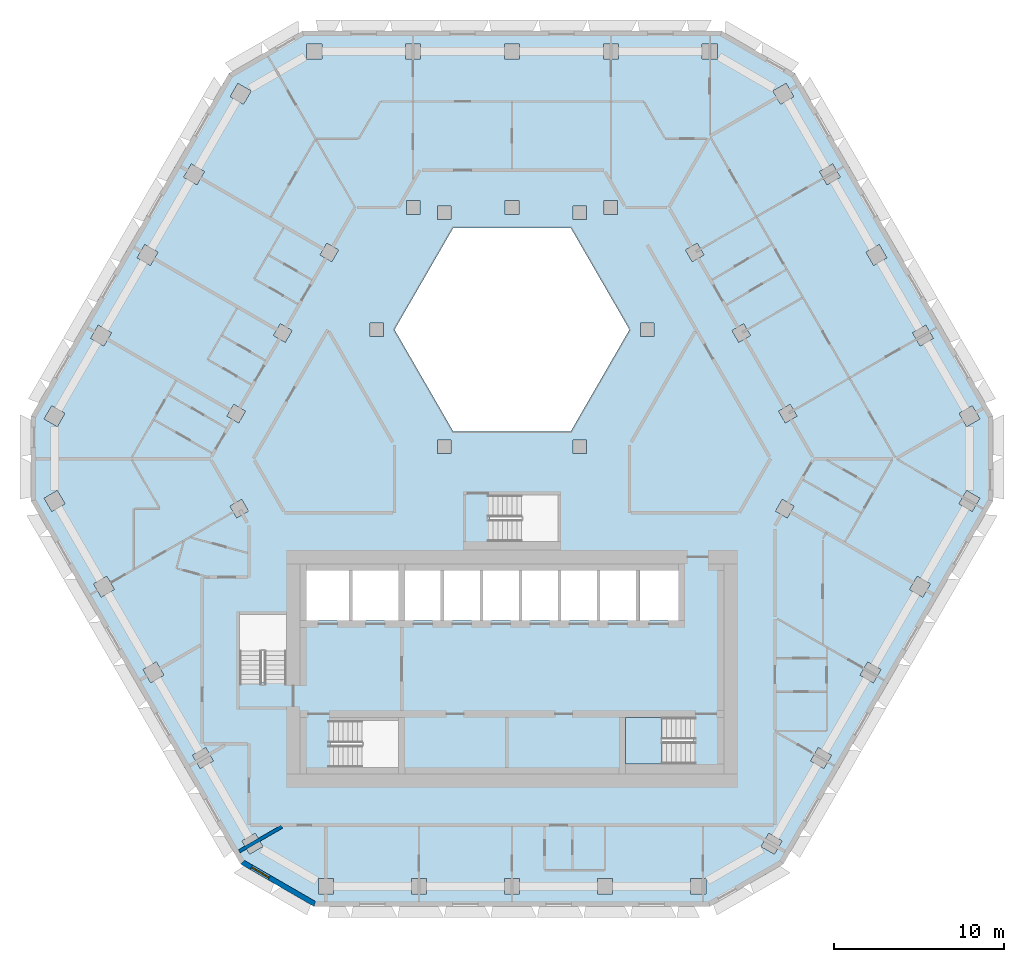
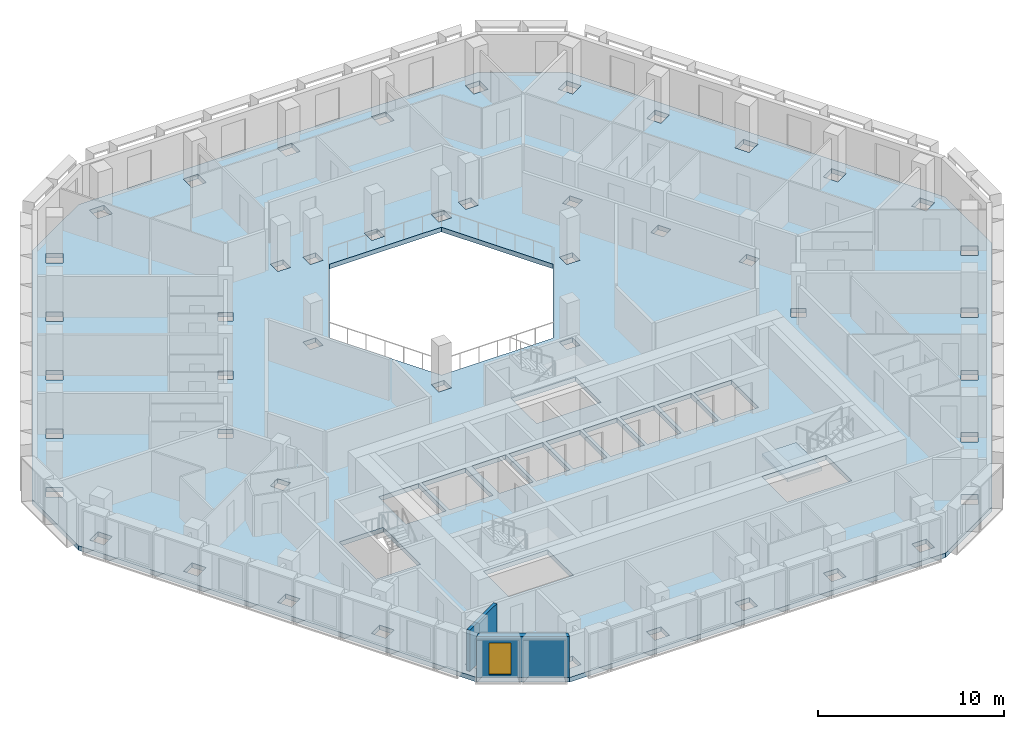
# One storey, part 2 of 15: 2 slabs, 2 walls, 1 window, 1 opening, 1 element without a shape of its own.
"""IFC4 building model written with IfcOpenShell, lengths in metres."""

import ifcopenshell
import ifcopenshell.guid

model = None  # the IFC model being written
_history = None  # IfcOwnerHistory: only IFC2X3 demands one
_inside = {}  # id of a spatial element -> (the spatial element, [elements in it])
_under = {}  # id of a project, library or spatial element -> (it, [spatial elements below it])
_declared = {}  # id of a project -> (the project, [libraries it declares])
_typed = {}  # id of a type object -> (the type object, [elements of that type])
_made_of = {}  # id of a material, layer set ... -> (it, [elements and type objects made of it])


def new_model(schema):
    """Start an empty IFC model of exactly this schema.

    Asked for "IFC4X3", IfcOpenShell would pick the latest addendum, in which some entities
    have other attributes; the version numbers below select the first issue.
    IFC2X3 requires an IfcOwnerHistory on every rooted entity: one is made here for all.
    """
    global model, _history
    if schema == "IFC4X3":
        model = ifcopenshell.file(schema_version=(4, 3, 0, 0))
    else:
        model = ifcopenshell.file(schema=schema)
    _inside.clear()
    _under.clear()
    _declared.clear()
    _typed.clear()
    _made_of.clear()
    _history = None
    if model.schema == "IFC2X3":
        org = make("IfcOrganization", Name="unknown")
        user = make(
            "IfcPersonAndOrganization",
            ThePerson=make("IfcPerson", FamilyName="unknown"),
            TheOrganization=org,
        )
        app = make(
            "IfcApplication",
            ApplicationDeveloper=org,
            Version="unknown",
            ApplicationFullName="unknown",
            ApplicationIdentifier="unknown",
        )
        _history = make(
            "IfcOwnerHistory",
            OwningUser=user,
            OwningApplication=app,
            ChangeAction="ADDED",
            CreationDate=0,
        )
    return model


def make(cls, **values):
    """One entity of the class cls with the attributes given. An attribute that is None is left unset."""
    return model.create_entity(
        cls, **{name: value for name, value in values.items() if value is not None}
    )


def rooted(cls, **values):
    """An entity with a GlobalId (a new one), such as an element, a storey or a relation."""
    return make(cls, GlobalId=ifcopenshell.guid.new(), OwnerHistory=_history, **values)


def si_unit(unit_type, name, prefix=None):
    """IfcSIUnit, for example si_unit("LENGTHUNIT", "METRE", prefix="MILLI")."""
    return make("IfcSIUnit", UnitType=unit_type, Prefix=prefix, Name=name)


def assignment(units):
    """IfcUnitAssignment: the units of a project."""
    return None if units is None else make("IfcUnitAssignment", Units=units)


def point(xyz):
    """IfcCartesianPoint."""
    return None if xyz is None else make("IfcCartesianPoint", Coordinates=xyz)


def direction(xyz):
    """IfcDirection."""
    return None if xyz is None else make("IfcDirection", DirectionRatios=xyz)


def frame(location, z_axis=None, x_axis=None):
    """IfcAxis2Placement3D, a coordinate frame: its origin and axes. An axis left out is left unset."""
    return make(
        "IfcAxis2Placement3D",
        Location=point(location),
        Axis=direction(z_axis),
        RefDirection=direction(x_axis),
    )


def frame_2d(location, x_axis=None):
    """IfcAxis2Placement2D, a coordinate frame in the plane: its origin and x axis."""
    return make(
        "IfcAxis2Placement2D", Location=point(location), RefDirection=direction(x_axis)
    )


def origin():
    """The frame at (0, 0, 0) with its axes left unset."""
    return frame((0.0, 0.0, 0.0))


def place(relative_to, where):
    """IfcLocalPlacement: puts the frame where relative to a parent placement (None: the world)."""
    return make(
        "IfcLocalPlacement", PlacementRelTo=relative_to, RelativePlacement=where
    )


def context(
    kind, dimensions, precision=None, world=None, true_north=None, identifier=None
):
    """IfcGeometricRepresentationContext, for example the 3D "Model" context."""
    return make(
        "IfcGeometricRepresentationContext",
        ContextIdentifier=identifier,
        ContextType=kind,
        CoordinateSpaceDimension=dimensions,
        Precision=precision,
        WorldCoordinateSystem=world,
        TrueNorth=true_north,
    )


def subcontext(parent, identifier, kind, view, scale=None):
    """IfcGeometricRepresentationSubContext, for example "Body" below "Model"."""
    return make(
        "IfcGeometricRepresentationSubContext",
        ContextIdentifier=identifier,
        ContextType=kind,
        ParentContext=parent,
        TargetScale=scale,
        TargetView=view,
    )


def project(units=None, contexts=None):
    """IfcProject with its units and contexts."""
    return rooted(
        "IfcProject",
        Name="project",
        RepresentationContexts=contexts,
        UnitsInContext=assignment(units),
    )


def spatial(cls, under=None, at=None, **own):
    """A site, building, storey or space (cls), placed at a placement, below another one or the project."""
    s = rooted(cls, ObjectPlacement=at, **own)
    if under is not None:
        _under.setdefault(under.id(), (under, []))[1].append(s)
    return s


def polyline(points):
    """IfcPolyline through the points."""
    return make("IfcPolyline", Points=[point(p) for p in points])


def profile(cls, at=None, kind="AREA", **sizes):
    """A parametric profile (cls). Its sizes go by their IFC names, for example OverallWidth=200.0."""
    return make(cls, ProfileType=kind, Position=at, **sizes)


def rectangle(**sizes):
    """IfcRectangleProfileDef."""
    return profile("IfcRectangleProfileDef", **sizes)


def outline(outer, holes=None, kind="AREA"):
    """IfcArbitraryClosedProfileDef: a profile drawn as a closed curve; with holes, ...WithVoids."""
    if holes is None:
        return make("IfcArbitraryClosedProfileDef", ProfileType=kind, OuterCurve=outer)
    return make(
        "IfcArbitraryProfileDefWithVoids",
        ProfileType=kind,
        OuterCurve=outer,
        InnerCurves=holes,
    )


def extrude(swept, where, along, depth):
    """IfcExtrudedAreaSolid: the profile swept, set in the frame where, extruded along a direction by depth."""
    return make(
        "IfcExtrudedAreaSolid",
        SweptArea=swept,
        Position=where,
        ExtrudedDirection=direction(along),
        Depth=depth,
    )


def shape(context_of_items, identifier, shape_type, items):
    """IfcShapeRepresentation: the items that make up one representation, for example the "Body"."""
    return make(
        "IfcShapeRepresentation",
        ContextOfItems=context_of_items,
        RepresentationIdentifier=identifier,
        RepresentationType=shape_type,
        Items=items,
    )


def material(Name=None, Category=None):
    """IfcMaterial."""
    return make("IfcMaterial", Name=Name, Category=Category)


def layer(
    of_material, thickness, ventilated=None, Name=None, Category=None, Priority=None
):
    """IfcMaterialLayer: one layer of a wall or slab, of a material (None: an air gap)."""
    return make(
        "IfcMaterialLayer",
        Material=of_material,
        LayerThickness=thickness,
        IsVentilated=ventilated,
        Name=Name,
        Category=Category,
        Priority=Priority,
    )


def layer_set(layers, Name=None):
    """IfcMaterialLayerSet."""
    return make("IfcMaterialLayerSet", MaterialLayers=layers, LayerSetName=Name)


def made_of(thing, what):
    """Note that an element or type object is made of a material, layer set ...; save() writes the relation."""
    if what is not None:
        _made_of.setdefault(what.id(), (what, []))[1].append(thing)
    return thing


def type_object(cls, material=None, **own):
    """A type object (cls), such as IfcWallType, which elements share."""
    return made_of(rooted(cls, **own), material)


def element(
    cls,
    number,
    at=None,
    inside=None,
    cuts=None,
    type_object=None,
    material=None,
    context=None,
    identifier="Body",
    shape_type=None,
    held_by="IfcProductDefinitionShape",
    body=None,
    shapes=None,
    **own,
):
    """One element of the class cls, such as IfcWall. Its Tag is "e" and its number.

    at: its placement. inside: the storey or other place that contains it. cuts: it is an
    opening in that element (IfcRelVoidsElement). A single representation is given by context,
    identifier, shape_type and body (its items); several are given by shapes. held_by: the class
    of the entity that holds the representations. save() writes the other relations.
    """
    e = rooted(cls, Tag="e%d" % number, ObjectPlacement=at, **own)
    if body is not None:
        shapes = [shape(context, identifier, shape_type, body)]
    if shapes is not None:
        e.Representation = make(held_by, Representations=shapes)
    if inside is not None:
        _inside.setdefault(inside.id(), (inside, []))[1].append(e)
    if cuts is not None:
        rooted(
            "IfcRelVoidsElement", RelatingBuildingElement=cuts, RelatedOpeningElement=e
        )
    if type_object is not None:
        _typed.setdefault(type_object.id(), (type_object, []))[1].append(e)
    return made_of(e, material)


def fill(opening, filler):
    """IfcRelFillsElement: the door or window that sits in an opening."""
    return rooted(
        "IfcRelFillsElement",
        RelatingOpeningElement=opening,
        RelatedBuildingElement=filler,
    )


def aggregate(whole, parts):
    """IfcRelAggregates: a whole, such as a stair, and the parts it consists of."""
    return rooted("IfcRelAggregates", RelatingObject=whole, RelatedObjects=parts)


def save(model, path):
    """Write the relations noted so far, then the file.

    IfcRelAggregates (storeys below a building ...), IfcRelContainedInSpatialStructure (elements
    in a storey), IfcRelDefinesByType, IfcRelAssociatesMaterial and IfcRelDeclares: one each for
    every whole, place, type object, material and project.
    """
    for whole, parts in _under.values():
        aggregate(whole, parts)
    for where, things in _inside.values():
        rooted(
            "IfcRelContainedInSpatialStructure",
            RelatedElements=things,
            RelatingStructure=where,
        )
    for kind, things in _typed.values():
        rooted("IfcRelDefinesByType", RelatedObjects=things, RelatingType=kind)
    for what, things in _made_of.values():
        rooted("IfcRelAssociatesMaterial", RelatedObjects=things, RelatingMaterial=what)
    for by, libraries in _declared.values():
        rooted("IfcRelDeclares", RelatingContext=by, RelatedDefinitions=libraries)
    model.write(path)


model = new_model("IFC4")

# Units and contexts
model_context = context("Model", 3, precision=1e-05, world=origin(), true_north=direction((0.0, 1.0)))
body_context = subcontext(model_context, "Body", "Model", "MODEL_VIEW")
ifc_project = project(units=[si_unit("LENGTHUNIT", "METRE"), si_unit("AREAUNIT", "SQUARE_METRE"), si_unit("VOLUMEUNIT", "CUBIC_METRE"), si_unit("PLANEANGLEUNIT", "RADIAN"), si_unit("MASSUNIT", "GRAM", prefix="KILO")], contexts=[model_context])

# Site, building, storey
site_placement = place(None, origin())
site = spatial("IfcSite", under=ifc_project, at=site_placement, CompositionType="ELEMENT")
building_placement = place(site_placement, origin())
building = spatial("IfcBuilding", under=site, at=building_placement, Name="Beryl Residences", CompositionType="ELEMENT")
storey_placement = place(building_placement, frame((0.0, 0.0, 147.60009765625)))
storey = spatial("IfcBuildingStorey", under=building, at=storey_placement, Name="L45", CompositionType="ELEMENT", Elevation=147.60009765625)

# Slab
ifc_material_1 = material(Name="Concrete C40/50", Category="concrete")
ifc_layer_1 = layer(ifc_material_1, 0.300048828125)
ifc_layer_set_1 = layer_set([ifc_layer_1], Name="SL7 PT floor slab 300 mm C40/50")
slab_type_1 = type_object("IfcSlabType", Name="SL7 PT floor slab 300 mm C40/50", PredefinedType="FLOOR", material=ifc_layer_set_1)
slab_1_placement = place(storey_placement, frame((0.0, 0.0, -0.300048828125)))
element("IfcSlab", 1, at=slab_1_placement, inside=storey, type_object=slab_type_1, Name="L45 slab 1", PredefinedType="FLOOR", context=body_context, shape_type="SweptSolid", body=[
    extrude(outline(polyline([(28.347900390625, -2.10009765625), (15.991943359375, -23.5), (11.662109375, -26.0), (-11.662109375, -26.0), (-15.991943359375, -23.5), (-28.347900390625, -2.10009765625), (-28.347900390625, 2.89990234375), (-16.68505859375, 23.10009765625), (-12.35498046875, 25.60009765625), (12.35498046875, 25.60009765625), (16.68505859375, 23.10009765625), (28.347900390625, 2.89990234375), (28.347900390625, -2.10009765625)]), holes=[polyline([(27.1279296875, 3.514892578125), (26.347900390625, 3.06494140625), (26.798095703125, 2.284912109375), (27.577880859375, 2.735107421875), (27.1279296875, 3.514892578125)]), polyline([(26.7958984375, -1.486083984375), (26.345947265625, -2.26611328125), (27.1259765625, -2.716064453125), (27.575927734375, -1.93603515625), (26.7958984375, -1.486083984375)]), polyline([(23.60498046875, 7.81494140625), (24.054931640625, 7.034912109375), (24.8349609375, 7.485107421875), (24.385009765625, 8.264892578125), (23.60498046875, 7.81494140625)]), polyline([(24.660888671875, -6.986083984375), (23.881103515625, -6.535888671875), (23.430908203125, -7.31591796875), (24.2109375, -7.76611328125), (24.660888671875, -6.986083984375)]), polyline([(21.64306640625, 13.014892578125), (20.863037109375, 12.56494140625), (21.31298828125, 11.784912109375), (22.093017578125, 12.235107421875), (21.64306640625, 13.014892578125)]), polyline([(20.965087890625, -11.5859375), (20.514892578125, -12.365966796875), (21.294921875, -12.81591796875), (21.7451171875, -12.035888671875), (20.965087890625, -11.5859375)]), polyline([(18.1201171875, 17.31494140625), (18.570068359375, 16.534912109375), (19.35009765625, 16.985107421875), (18.89990234375, 17.764892578125), (18.1201171875, 17.31494140625)]), polyline([(18.830078125, -17.0859375), (18.050048828125, -16.635986328125), (17.60009765625, -17.416015625), (18.3798828125, -17.865966796875), (18.830078125, -17.0859375)]), polyline([(16.39892578125, 3.595947265625), (15.70703125, 3.196044921875), (16.10693359375, 2.50390625), (16.799072265625, 2.904052734375), (16.39892578125, 3.595947265625)]), polyline([(16.6240234375, -2.405029296875), (15.931884765625, -2.0048828125), (15.531982421875, -2.697021484375), (16.22412109375, -3.096923828125), (16.6240234375, -2.405029296875)]), polyline([(16.157958984375, 22.514892578125), (15.3779296875, 22.06494140625), (15.827880859375, 21.284912109375), (16.60791015625, 21.735107421875), (16.157958984375, 22.514892578125)]), polyline([(15.9140625, -22.135009765625), (15.134033203125, -21.68505859375), (14.68408203125, -22.465087890625), (15.464111328125, -22.9150390625), (15.9140625, -22.135009765625)]), polyline([(13.656005859375, 8.345947265625), (12.964111328125, 7.946044921875), (13.364013671875, 7.25390625), (14.055908203125, 7.654052734375), (13.656005859375, 8.345947265625)]), polyline([(11.2119140625, 24.85009765625), (11.2119140625, 23.949951171875), (12.112060546875, 23.949951171875), (12.112060546875, 24.85009765625), (11.2119140625, 24.85009765625)]), polyline([(11.4208984375, -24.35009765625), (10.52099609375, -24.35009765625), (10.52099609375, -25.25), (11.4208984375, -25.25), (11.4208984375, -24.35009765625)]), polyline([(10.221923828125, 12.696044921875), (10.6220703125, 12.00390625), (11.31396484375, 12.404052734375), (10.9140625, 13.095947265625), (10.221923828125, 12.696044921875)]), polyline([(6.699951171875, -14.85009765625), (6.699951171875, -17.60009765625), (10.699951171875, -17.60009765625), (10.699951171875, -14.85009765625), (6.699951171875, -14.85009765625)]), polyline([(7.5, -9.14990234375), (9.800048828125, -9.14990234375), (9.800048828125, -6.199951171875), (7.5, -6.199951171875), (7.5, -9.14990234375)]), polyline([(8.366943359375, 7.60009765625), (8.366943359375, 8.39990234375), (7.56689453125, 8.39990234375), (7.56689453125, 7.60009765625), (8.366943359375, 7.60009765625)]), polyline([(7.300048828125, -9.14990234375), (7.300048828125, -6.199951171875), (5.199951171875, -6.199951171875), (5.199951171875, -9.14990234375), (7.300048828125, -9.14990234375)]), polyline([(3.464111328125, 14.0), (-3.464111328125, 14.0), (-6.92822265625, 8.0), (-3.464111328125, 2.0), (3.464111328125, 2.0), (6.92822265625, 8.0), (3.464111328125, 14.0)]), polyline([(5.381103515625, 24.85009765625), (5.381103515625, 23.949951171875), (6.281005859375, 23.949951171875), (6.281005859375, 24.85009765625), (5.381103515625, 24.85009765625)]), polyline([(5.430908203125, 15.60009765625), (5.430908203125, 14.800048828125), (6.23095703125, 14.800048828125), (6.23095703125, 15.60009765625), (5.430908203125, 15.60009765625)]), polyline([(5.93603515625, -25.25), (5.93603515625, -24.35009765625), (5.035888671875, -24.35009765625), (5.035888671875, -25.25), (5.93603515625, -25.25)]), polyline([(2.89990234375, -9.14990234375), (5.0, -9.14990234375), (5.0, -6.199951171875), (2.89990234375, -6.199951171875), (2.89990234375, -9.14990234375)]), polyline([(4.384033203125, 14.5), (4.384033203125, 15.300048828125), (3.583984375, 15.300048828125), (3.583984375, 14.5), (4.384033203125, 14.5)]), polyline([(3.583984375, 1.5), (3.583984375, 0.699951171875), (4.384033203125, 0.699951171875), (4.384033203125, 1.5), (3.583984375, 1.5)]), polyline([(2.699951171875, -4.5), (2.699951171875, -1.75), (-1.300048828125, -1.75), (-1.300048828125, -4.5), (2.699951171875, -4.5)]), polyline([(0.60009765625, -9.14990234375), (2.699951171875, -9.14990234375), (2.699951171875, -6.199951171875), (0.60009765625, -6.199951171875), (0.60009765625, -9.14990234375)]), polyline([(0.450927734375, -24.35009765625), (-0.448974609375, -24.35009765625), (-0.448974609375, -25.25), (0.450927734375, -25.25), (0.450927734375, -24.35009765625)]), polyline([(-0.449951171875, 24.85009765625), (-0.449951171875, 23.949951171875), (0.449951171875, 23.949951171875), (0.449951171875, 24.85009765625), (-0.449951171875, 24.85009765625)]), polyline([(0.39990234375, -6.199951171875), (-1.699951171875, -6.199951171875), (-1.699951171875, -9.14990234375), (0.39990234375, -9.14990234375), (0.39990234375, -6.199951171875)]), polyline([(-0.39990234375, 15.60009765625), (-0.39990234375, 14.800048828125), (0.39990234375, 14.800048828125), (0.39990234375, 15.60009765625), (-0.39990234375, 15.60009765625)]), polyline([(-4.0, -9.14990234375), (-1.89990234375, -9.14990234375), (-1.89990234375, -6.199951171875), (-4.0, -6.199951171875), (-4.0, -9.14990234375)]), polyline([(-3.583984375, 14.5), (-3.583984375, 15.300048828125), (-4.384033203125, 15.300048828125), (-4.384033203125, 14.5), (-3.583984375, 14.5)]), polyline([(-3.583984375, 0.699951171875), (-3.583984375, 1.5), (-4.384033203125, 1.5), (-4.384033203125, 0.699951171875), (-3.583984375, 0.699951171875)]), polyline([(-6.300048828125, -9.14990234375), (-4.199951171875, -9.14990234375), (-4.199951171875, -6.199951171875), (-6.300048828125, -6.199951171875), (-6.300048828125, -9.14990234375)]), polyline([(-5.033935546875, -25.25), (-5.033935546875, -24.35009765625), (-5.93408203125, -24.35009765625), (-5.93408203125, -25.25), (-5.033935546875, -25.25)]), polyline([(-6.281005859375, 23.949951171875), (-5.381103515625, 23.949951171875), (-5.381103515625, 24.85009765625), (-6.281005859375, 24.85009765625), (-6.281005859375, 23.949951171875)]), polyline([(-6.23095703125, 14.800048828125), (-5.430908203125, 14.800048828125), (-5.430908203125, 15.60009765625), (-6.23095703125, 15.60009765625), (-6.23095703125, 14.800048828125)]), polyline([(-6.699951171875, -6.199951171875), (-9.39990234375, -6.199951171875), (-9.39990234375, -9.14990234375), (-6.699951171875, -9.14990234375), (-6.699951171875, -6.199951171875)]), polyline([(-10.699951171875, -15.050048828125), (-10.699951171875, -17.800048828125), (-6.699951171875, -17.800048828125), (-6.699951171875, -15.050048828125), (-10.699951171875, -15.050048828125)]), polyline([(-7.56689453125, 7.60009765625), (-7.56689453125, 8.39990234375), (-8.366943359375, 8.39990234375), (-8.366943359375, 7.60009765625), (-7.56689453125, 7.60009765625)]), polyline([(-12.10009765625, -9.14990234375), (-9.60009765625, -9.14990234375), (-9.60009765625, -6.199951171875), (-12.10009765625, -6.199951171875), (-12.10009765625, -9.14990234375)]), polyline([(-11.31396484375, 12.404052734375), (-10.6220703125, 12.00390625), (-10.221923828125, 12.696044921875), (-10.9140625, 13.095947265625), (-11.31396484375, 12.404052734375)]), polyline([(-11.4189453125, -24.35009765625), (-11.4189453125, -25.25), (-10.51904296875, -25.25), (-10.51904296875, -24.35009765625), (-11.4189453125, -24.35009765625)]), polyline([(-12.112060546875, 24.85009765625), (-12.112060546875, 23.949951171875), (-11.2119140625, 23.949951171875), (-11.2119140625, 24.85009765625), (-12.112060546875, 24.85009765625)]), polyline([(-14.055908203125, 7.654052734375), (-13.364013671875, 7.25390625), (-12.964111328125, 7.946044921875), (-13.656005859375, 8.345947265625), (-14.055908203125, 7.654052734375)]), polyline([(-13.300048828125, -8.800048828125), (-16.050048828125, -8.800048828125), (-16.050048828125, -12.800048828125), (-13.300048828125, -12.800048828125), (-13.300048828125, -8.800048828125)]), polyline([(-14.68505859375, -22.464111328125), (-15.135009765625, -21.68408203125), (-15.9150390625, -22.134033203125), (-15.465087890625, -22.9140625), (-14.68505859375, -22.464111328125)]), polyline([(-15.827880859375, 21.284912109375), (-15.3779296875, 22.06494140625), (-16.157958984375, 22.514892578125), (-16.60791015625, 21.735107421875), (-15.827880859375, 21.284912109375)]), polyline([(-15.532958984375, -2.695068359375), (-15.93310546875, -2.0029296875), (-16.625, -2.403076171875), (-16.22509765625, -3.094970703125), (-15.532958984375, -2.695068359375)]), polyline([(-16.10693359375, 2.50390625), (-15.70703125, 3.196044921875), (-16.39892578125, 3.595947265625), (-16.799072265625, 2.904052734375), (-16.10693359375, 2.50390625)]), polyline([(-17.60107421875, -17.4140625), (-18.051025390625, -16.634033203125), (-18.8310546875, -17.083984375), (-18.381103515625, -17.864013671875), (-17.60107421875, -17.4140625)]), polyline([(-19.35009765625, 16.985107421875), (-18.570068359375, 16.534912109375), (-18.1201171875, 17.31494140625), (-18.89990234375, 17.764892578125), (-19.35009765625, 16.985107421875)]), polyline([(-21.2958984375, -12.81396484375), (-20.51611328125, -12.364013671875), (-20.966064453125, -11.583984375), (-21.74609375, -12.033935546875), (-21.2958984375, -12.81396484375)]), polyline([(-20.863037109375, 12.56494140625), (-21.64306640625, 13.014892578125), (-22.093017578125, 12.235107421875), (-21.31298828125, 11.784912109375), (-20.863037109375, 12.56494140625)]), polyline([(-24.2119140625, -7.763916015625), (-23.431884765625, -7.31396484375), (-23.882080078125, -6.533935546875), (-24.662109375, -6.98388671875), (-24.2119140625, -7.763916015625)]), polyline([(-24.8349609375, 7.485107421875), (-24.054931640625, 7.034912109375), (-23.60498046875, 7.81494140625), (-24.385009765625, 8.264892578125), (-24.8349609375, 7.485107421875)]), polyline([(-27.126953125, -2.715087890625), (-26.346923828125, -2.264892578125), (-26.797119140625, -1.485107421875), (-27.576904296875, -1.93505859375), (-27.126953125, -2.715087890625)]), polyline([(-27.577880859375, 2.735107421875), (-26.798095703125, 2.284912109375), (-26.347900390625, 3.06494140625), (-27.1279296875, 3.514892578125), (-27.577880859375, 2.735107421875)])]), origin(), (0.0, 0.0, 1.0), 0.300048828125),
])

# Stair, slab
ifc_material_2 = material(Name="Concrete C40/50", Category="concrete")
stair_type = type_object("IfcStairType", Name="ST1 protected exit stair, half-turn, 1300 mm flights", PredefinedType="HALF_TURN_STAIR", material=ifc_material_2)
stair_placement = place(storey_placement, origin())
stair = element("IfcStair", 2, at=stair_placement, inside=storey, type_object=stair_type, Name="L45 PROTECTED EXIT STAIR ST-3", PredefinedType="HALF_TURN_STAIR")
ifc_material_3 = material(Name="Concrete C40/50", Category="concrete")
ifc_layer_2 = layer(ifc_material_3, 0.199951171875)
ifc_layer_set_2 = layer_set([ifc_layer_2], Name="SLD1 stair landing 200 mm")
slab_type_2 = type_object("IfcSlabType", Name="SLD1 stair landing 200 mm", PredefinedType="LANDING", material=ifc_layer_set_2)
slab_2_placement = place(storey_placement, frame((0.0, 0.0, 1.2998046875)))
slab_2 = element("IfcSlab", 3, at=slab_2_placement, type_object=slab_type_2, Name="ST-3 landing 1", PredefinedType="LANDING", context=body_context, shape_type="SweptSolid", body=[
    extrude(outline(polyline([(8.840087890625, -14.85009765625), (6.699951171875, -14.85009765625), (6.699951171875, -17.60009765625), (8.840087890625, -17.60009765625), (8.840087890625, -14.85009765625)])), origin(), (0.0, 0.0, 1.0), 0.2001953125),
])
aggregate(stair, [slab_2])

# Wall, opening, window
ifc_material_4 = material(Name="Composite metal panel with mineral wool insulation")
ifc_layer_3 = layer(ifc_material_4, 0.300048828125)
ifc_layer_set_3 = layer_set([ifc_layer_3], Name="ES1 pale metal composite panel wall 300 mm")
wall_type_1 = type_object("IfcWallType", Name="ES1 pale metal composite panel wall 300 mm", PredefinedType="SOLIDWALL", material=ifc_layer_set_3)
wall_1_placement = place(storey_placement, frame((-15.9169921875, -23.3701171875, 0.0), z_axis=(0.0, 0.0, 1.0), x_axis=(0.866022959057, -0.500004234368, 0.0)))
wall_1 = element("IfcWall", 4, at=wall_1_placement, inside=storey, type_object=wall_type_1, Name="ES1 external wall L45 SW-S", PredefinedType="SOLIDWALL", context=body_context, shape_type="SweptSolid", body=[
    extrude(outline(polyline([(0.0, -0.14990234375), (5.0, -0.14990234375), (4.919677734375, 0.14990234375), (0.080322265625, 0.14990234375), (0.0, -0.14990234375)])), origin(), (0.0, 0.0, 1.0), 2.699951171875),
])
opening_placement = place(wall_1_placement, frame((0.64990234375, 0.0, 0.14990234375)))
opening = element("IfcOpeningElement", 5, at=opening_placement, cuts=wall_1, Name="Opening W2", PredefinedType="OPENING", context=body_context, shape_type="SweptSolid", body=[
    extrude(rectangle(XDim=1.199951171875, YDim=2.10009765625, at=frame_2d((0.60009765625, 1.050048828125))), frame((0.0, 0.159912109375, 0.0), z_axis=(0.0, -1.0, 0.0), x_axis=(1.0, 0.0, 0.0)), (0.0, 0.0, 1.0), 0.320068359375),
])
ifc_material_5 = material(Name="Aluminium and clear glass", Category="aluminium")
window_type = type_object("IfcWindowType", Name="W2 chamfer window 1200 x 2100 mm", PartitioningType="SINGLE_PANEL", PredefinedType="WINDOW", material=ifc_material_5)
window_placement = place(opening_placement, origin())
window = element("IfcWindow", 6, at=window_placement, inside=storey, type_object=window_type, Name="W2 window L45 SW-S 1", OverallHeight=2.10009765625, OverallWidth=1.199951171875, PartitioningType="SINGLE_PANEL", PredefinedType="WINDOW", context=body_context, shape_type="SweptSolid", body=[
    extrude(rectangle(XDim=1.199951171875, YDim=2.10009765625, at=frame_2d((0.60009765625, 1.050048828125))), frame((0.0, 0.030029296875, 0.0), z_axis=(0.0, -1.0, 0.0), x_axis=(1.0, 0.0, 0.0)), (0.0, 0.0, 1.0), 0.06005859375),
])
fill(opening, window)

# Wall
ifc_material_6 = material(Name="Acoustic double stud gypsum board wall")
ifc_layer_4 = layer(ifc_material_6, 0.199951171875)
ifc_layer_set_4 = layer_set([ifc_layer_4], Name="PT3 party wall 200 mm acoustic double stud")
wall_type_2 = type_object("IfcWallType", Name="PT3 party wall 200 mm acoustic double stud", PredefinedType="PARTITIONING", material=ifc_layer_set_4)
wall_2_placement = place(storey_placement, frame((-16.0791015625, -22.748046875, 0.0), z_axis=(0.0, 0.0, 1.0), x_axis=(0.866114021284, 0.499846478567, 0.0)))
element("IfcWall", 7, at=wall_2_placement, inside=storey, type_object=wall_type_2, Name="Wall PT3 L45 012", PredefinedType="PARTITIONING", context=body_context, shape_type="SweptSolid", body=[
    extrude(rectangle(XDim=2.89697265625, YDim=0.199951171875, at=frame_2d((1.448486328125, 0.0))), origin(), (0.0, 0.0, 1.0), 2.699951171875),
])

save(model, "model.ifc")
